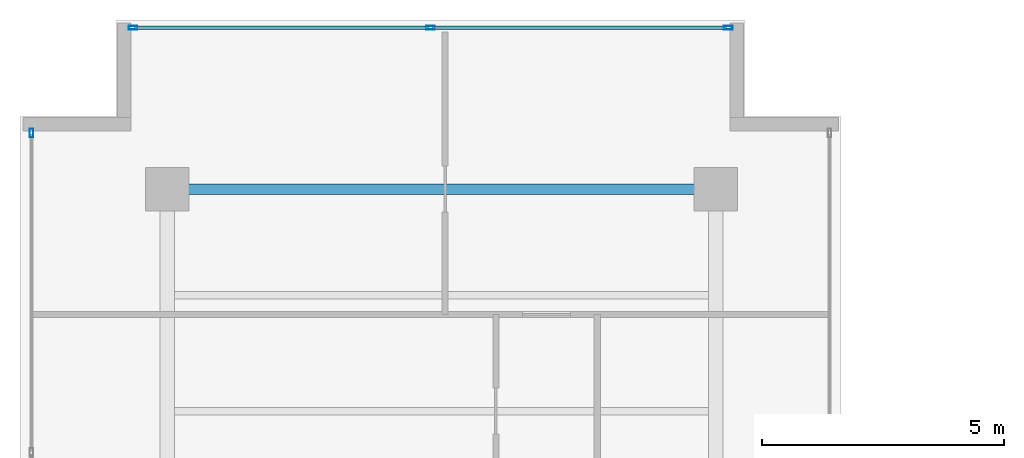
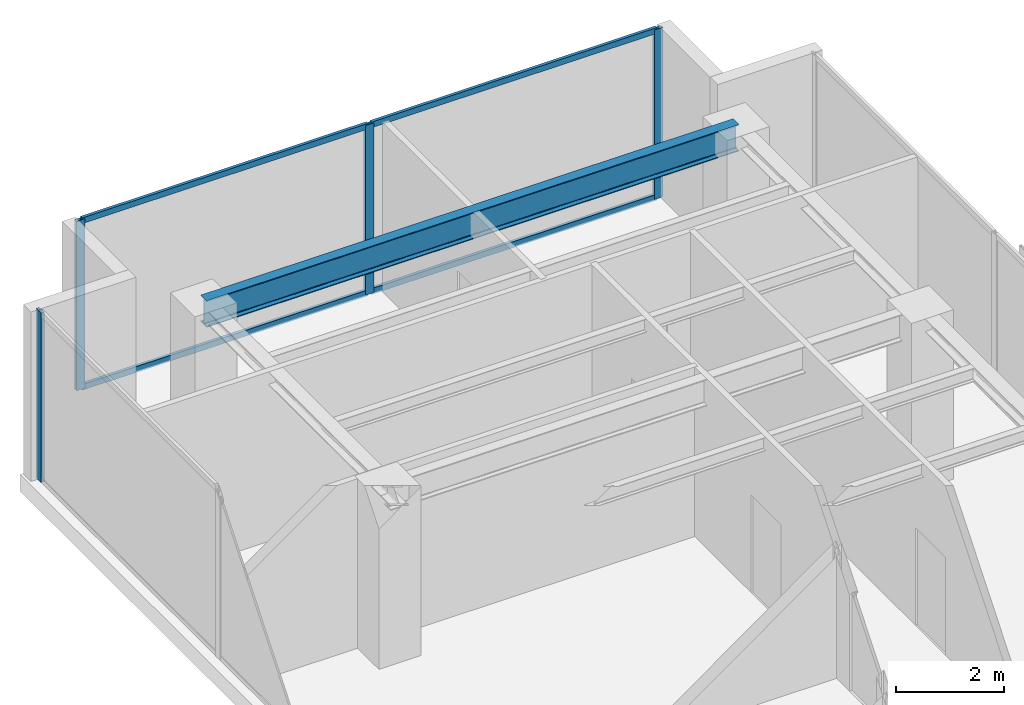
# One storey, part 22 of 32: 8 members, 1 beam, 2 elements without a shape of their own.
"""IFC4 building model written with IfcOpenShell, lengths in metres."""

from ifc_helpers import new_model, si_unit, direction, frame, origin, origin_with_axes, origin_2d, place, context, subcontext, project, spatial, hollow_rectangle, i_section, extrude, source, transform, mapped, material, layer, layer_set, material_profile, profile_set, type_object, element, aggregate, save


model = new_model("IFC4")

# Units and contexts
model_context = context("Model", 3, precision=1e-05, world=origin(), true_north=direction((0.0, 1.0)))
body_context = subcontext(model_context, "Body", "Model", "MODEL_VIEW")
ifc_project = project(units=[si_unit("LENGTHUNIT", "METRE"), si_unit("AREAUNIT", "SQUARE_METRE"), si_unit("VOLUMEUNIT", "CUBIC_METRE"), si_unit("PLANEANGLEUNIT", "RADIAN"), si_unit("MASSUNIT", "GRAM", prefix="KILO")], contexts=[model_context])

# Site, building, storey
site_placement = place(None, origin())
site = spatial("IfcSite", under=ifc_project, at=site_placement, CompositionType="ELEMENT")
building_placement = place(site_placement, origin())
building = spatial("IfcBuilding", under=site, at=building_placement, Name="Kolvaren Waterfront Exchange", CompositionType="ELEMENT")
storey_placement = place(building_placement, frame((0.0, 0.0, 352.0)))
storey = spatial("IfcBuildingStorey", under=building, at=storey_placement, Name="L90", CompositionType="ELEMENT", Elevation=352.0)

# Beam
ifc_material_1 = material(Name="Steel S355", Category="steel")
ifc_material_profile_1 = material_profile(ifc_material_1, i_section(OverallWidth=0.219970703125, OverallDepth=0.60009765625, WebThickness=0.011962890625, FlangeThickness=0.01904296875, FilletRadius=0.02392578125, at=origin_2d()), Name="IPE600")
ifc_profile_set_1 = profile_set([ifc_material_profile_1], Name="Steel S355")
beam_type = type_object("IfcBeamType", Name="STR-BM-IPE600", PredefinedType="BEAM", material=ifc_profile_set_1)
beam_placement = place(storey_placement, frame((7.449951171875, 44.60009765625, 3.52001953125), z_axis=(1.0, 0.0, 0.0), x_axis=(0.0, 1.0, 0.0)))
element("IfcBeam", 1, at=beam_placement, inside=storey, type_object=beam_type, Name="L90 north-arm girder 4", PredefinedType="BEAM", context=body_context, shape_type="SweptSolid", body=[
    extrude(i_section(OverallWidth=0.219970703125, OverallDepth=0.60009765625, WebThickness=0.011962890625, FlangeThickness=0.01904296875, FilletRadius=0.02392578125, at=origin_2d()), origin(), (0.0, 0.0, 1.0), 11.35009765625),
])

# Curtain wall, members
ifc_material_2 = material(Name="Anodised bronze aluminium 6063-T6", Category="aluminium")
ifc_layer = layer(ifc_material_2, 0.219970703125, Name="Anodised bronze aluminium 6063-T6")
ifc_layer_set = layer_set([ifc_layer], Name="Anodised bronze aluminium 6063-T6")
curtain_wall_type = type_object("IfcCurtainWallType", Name="ARC-CW-SYS5", PredefinedType="USERDEFINED", material=ifc_layer_set)
curtain_wall_1_placement = place(storey_placement, origin())
curtain_wall_1 = element("IfcCurtainWall", 2, at=curtain_wall_1_placement, inside=storey, type_object=curtain_wall_type, Name="L90 stick curtain wall CW5 (CW-L90-NT)", ObjectType="STICK CURTAIN WALL", PredefinedType="USERDEFINED")
ifc_material_profile_2 = material_profile(ifc_material_2, hollow_rectangle(XDim=0.06494140625, YDim=0.1298828125, WallThickness=0.00390625, at=origin_2d()), Name="ALU-TRN-130x65x4")
ifc_profile_set_2 = profile_set([ifc_material_profile_2], Name="Anodised bronze aluminium 6063-T6")
member_type_1 = type_object("IfcMemberType", Name="ARC-CWT-130", PredefinedType="USERDEFINED", material=ifc_profile_set_2)
shared_shape_1 = source(origin_with_axes(), body_context, "Body", "SweptSolid", [
    extrude(hollow_rectangle(XDim=0.06494140625, YDim=0.1298828125, WallThickness=0.00390625, at=origin_2d()), origin(), (0.0, 0.0, 1.0), 6.087646484375),
])
member_1_placement = place(storey_placement, frame((6.77490234375, 47.93994140625, 0.032470703125), z_axis=(1.0, 0.0, 0.0), x_axis=(0.0, 1.0, 0.0)))
member_1 = element("IfcMember", 3, at=member_1_placement, type_object=member_type_1, Name="CW5 transom 1.1", ObjectType="TRANSOM", PredefinedType="USERDEFINED", context=body_context, shape_type="MappedRepresentation", body=[
    mapped(shared_shape_1, transform((0.0, 0.0, 0.0), x_axis=(1.0, 0.0, 0.0), y_axis=(0.0, 1.0, 0.0), z_axis=(0.0, 0.0, 1.0), scale=1.0)),
])
member_2_placement = place(storey_placement, frame((6.77490234375, 47.93994140625, 3.78759765625), z_axis=(1.0, 0.0, 0.0), x_axis=(0.0, 1.0, 0.0)))
member_2 = element("IfcMember", 4, at=member_2_placement, type_object=member_type_1, Name="CW5 transom 1.2", ObjectType="TRANSOM", PredefinedType="USERDEFINED", context=body_context, shape_type="MappedRepresentation", body=[
    mapped(shared_shape_1, transform((0.0, 0.0, 0.0), x_axis=(1.0, 0.0, 0.0), y_axis=(0.0, 1.0, 0.0), z_axis=(0.0, 0.0, 1.0), scale=1.0)),
])
shared_shape_2 = source(origin_with_axes(), body_context, "Body", "SweptSolid", [
    extrude(hollow_rectangle(XDim=0.06494140625, YDim=0.1298828125, WallThickness=0.00390625, at=origin_2d()), origin(), (0.0, 0.0, 1.0), 6.08740234375),
])
member_3_placement = place(storey_placement, frame((12.9375, 47.93994140625, 0.032470703125), z_axis=(1.0, 0.0, 0.0), x_axis=(0.0, 1.0, 0.0)))
member_3 = element("IfcMember", 5, at=member_3_placement, type_object=member_type_1, Name="CW5 transom 2.1", ObjectType="TRANSOM", PredefinedType="USERDEFINED", context=body_context, shape_type="MappedRepresentation", body=[
    mapped(shared_shape_2, transform((0.0, 0.0, 0.0), x_axis=(1.0, 0.0, 0.0), y_axis=(0.0, 1.0, 0.0), z_axis=(0.0, 0.0, 1.0), scale=1.0)),
])
member_4_placement = place(storey_placement, frame((12.9375, 47.93994140625, 3.78759765625), z_axis=(1.0, 0.0, 0.0), x_axis=(0.0, 1.0, 0.0)))
member_4 = element("IfcMember", 6, at=member_4_placement, type_object=member_type_1, Name="CW5 transom 2.2", ObjectType="TRANSOM", PredefinedType="USERDEFINED", context=body_context, shape_type="MappedRepresentation", body=[
    mapped(shared_shape_2, transform((0.0, 0.0, 0.0), x_axis=(1.0, 0.0, 0.0), y_axis=(0.0, 1.0, 0.0), z_axis=(0.0, 0.0, 1.0), scale=1.0)),
])

# Curtain wall, member
curtain_wall_2_placement = place(storey_placement, origin())
curtain_wall_2 = element("IfcCurtainWall", 7, at=curtain_wall_2_placement, inside=storey, type_object=curtain_wall_type, Name="L90 stick curtain wall CW5 (CW-L90-W)", ObjectType="STICK CURTAIN WALL", PredefinedType="USERDEFINED")
ifc_material_profile_3 = material_profile(ifc_material_2, hollow_rectangle(XDim=0.074951171875, YDim=0.179931640625, WallThickness=0.00439453125, at=origin_2d()), Name="ALU-MUL-180x75x4.5")
ifc_profile_set_3 = profile_set([ifc_material_profile_3], Name="Anodised bronze aluminium 6063-T6")
member_type_2 = type_object("IfcMemberType", Name="ARC-CWM-180", PredefinedType="MULLION", material=ifc_profile_set_3)
shared_shape_3 = source(origin_with_axes(), body_context, "Body", "SweptSolid", [
    extrude(hollow_rectangle(XDim=0.074951171875, YDim=0.179931640625, WallThickness=0.00439453125, at=origin_2d()), origin(), (0.0, 0.0, 1.0), 3.820068359375),
])
member_5_placement = place(storey_placement, frame((4.639892578125, 45.762451171875, 0.0), z_axis=(0.0, 0.0, 1.0), x_axis=(-1.0, 0.0, 0.0)))
member_5 = element("IfcMember", 8, at=member_5_placement, type_object=member_type_2, Name="CW5 mullion 7", PredefinedType="MULLION", context=body_context, shape_type="MappedRepresentation", body=[
    mapped(shared_shape_3, transform((0.0, 0.0, 0.0), x_axis=(1.0, 0.0, 0.0), y_axis=(0.0, 1.0, 0.0), z_axis=(0.0, 0.0, 1.0), scale=1.0)),
])
aggregate(curtain_wall_2, [member_5])

# Member
member_6_placement = place(storey_placement, frame((6.737548828125, 47.93994140625, 0.0), z_axis=(0.0, 0.0, 1.0), x_axis=(0.0, 1.0, 0.0)))
member_6 = element("IfcMember", 9, at=member_6_placement, type_object=member_type_2, Name="CW5 mullion 1", PredefinedType="MULLION", context=body_context, shape_type="MappedRepresentation", body=[
    mapped(shared_shape_3, transform((0.0, 0.0, 0.0), x_axis=(1.0, 0.0, 0.0), y_axis=(0.0, 1.0, 0.0), z_axis=(0.0, 0.0, 1.0), scale=1.0)),
])

member_7_placement = place(storey_placement, frame((12.89990234375, 47.93994140625, 0.0), z_axis=(0.0, 0.0, 1.0), x_axis=(0.0, 1.0, 0.0)))
member_7 = element("IfcMember", 10, at=member_7_placement, type_object=member_type_2, Name="CW5 mullion 2", PredefinedType="MULLION", context=body_context, shape_type="MappedRepresentation", body=[
    mapped(shared_shape_3, transform((0.0, 0.0, 0.0), x_axis=(1.0, 0.0, 0.0), y_axis=(0.0, 1.0, 0.0), z_axis=(0.0, 0.0, 1.0), scale=1.0)),
])

member_8_placement = place(storey_placement, frame((19.0625, 47.93994140625, 0.0), z_axis=(0.0, 0.0, 1.0), x_axis=(0.0, 1.0, 0.0)))
member_8 = element("IfcMember", 11, at=member_8_placement, type_object=member_type_2, Name="CW5 mullion 3", PredefinedType="MULLION", context=body_context, shape_type="MappedRepresentation", body=[
    mapped(shared_shape_3, transform((0.0, 0.0, 0.0), x_axis=(1.0, 0.0, 0.0), y_axis=(0.0, 1.0, 0.0), z_axis=(0.0, 0.0, 1.0), scale=1.0)),
])

aggregate(curtain_wall_1, [member_6, member_7, member_8, member_1, member_2, member_3, member_4])

save(model, "model.ifc")
